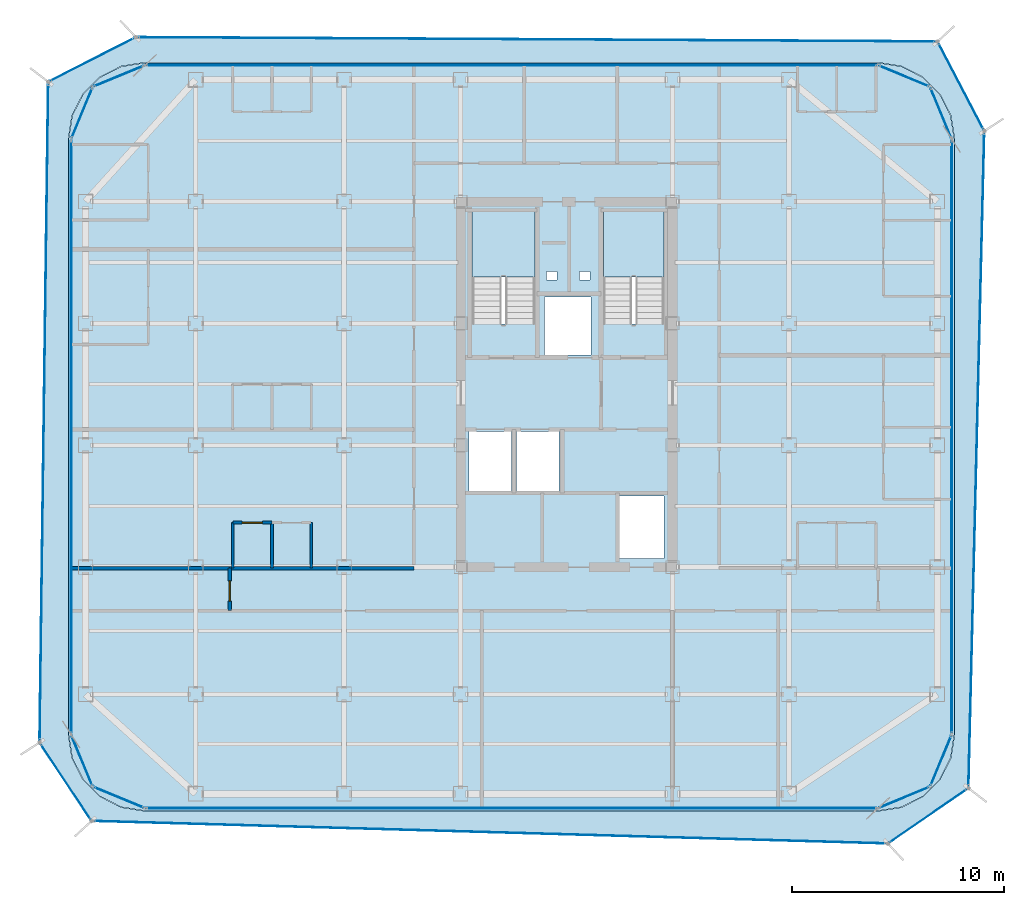
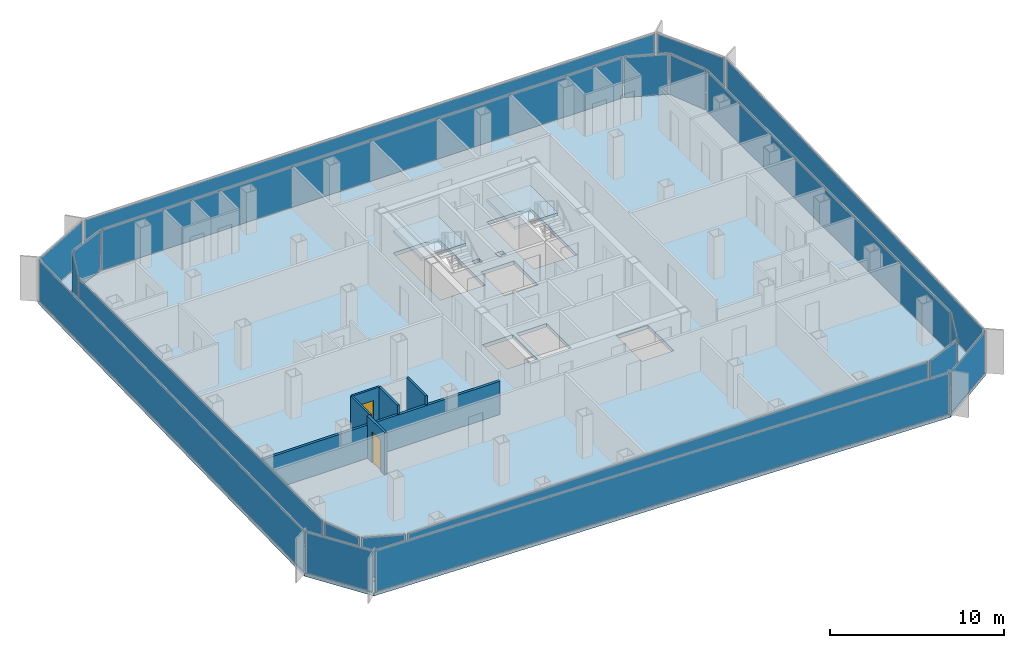
# One storey, part 9 of 15: 20 plates, 7 walls, 4 slabs, 2 doors, 2 openings, 22 elements without a shape of their own.
"""IFC4 building model written with IfcOpenShell, lengths in metres."""

from ifc_helpers import new_model, si_unit, direction, frame, frame_2d, origin, origin_2d, place, context, subcontext, project, spatial, polyline, rectangle, outline, extrude, source, transform, mapped, material, layer, layer_set, type_object, element, fill, aggregate, save


model = new_model("IFC4")

# Units and contexts
model_context = context("Model", 3, precision=1e-05, world=origin(), true_north=direction((0.0, 1.0)))
body_context = subcontext(model_context, "Body", "Model", "MODEL_VIEW")
ifc_project = project(units=[si_unit("LENGTHUNIT", "METRE"), si_unit("AREAUNIT", "SQUARE_METRE"), si_unit("VOLUMEUNIT", "CUBIC_METRE"), si_unit("PLANEANGLEUNIT", "RADIAN"), si_unit("MASSUNIT", "GRAM", prefix="KILO")], contexts=[model_context])

# Site, building, storey
site_placement = place(None, origin())
site = spatial("IfcSite", under=ifc_project, at=site_placement, CompositionType="ELEMENT")
building_placement = place(site_placement, origin())
building = spatial("IfcBuilding", under=site, at=building_placement, Name="Kolveth Station Tower", CompositionType="ELEMENT")
storey_placement = place(building_placement, frame((0.0, 0.0, 168.89990234375)))
storey = spatial("IfcBuildingStorey", under=building, at=storey_placement, Name="L47", CompositionType="ELEMENT", Elevation=168.89990234375)

# Slab
ifc_material_1 = material(Name="Concrete C40/50", Category="concrete")
ifc_layer_1 = layer(ifc_material_1, 0.25)
ifc_layer_set_1 = layer_set([ifc_layer_1], Name="Concrete C40/50")
slab_type_1 = type_object("IfcSlabType", Name="Slab_SF-250", PredefinedType="FLOOR", material=ifc_layer_set_1)
slab_1_placement = place(storey_placement, frame((0.0, 0.0, -0.25)))
element("IfcSlab", 1, at=slab_1_placement, inside=storey, type_object=slab_type_1, Name="L47 Tower Structural Floor Slab", PredefinedType="FLOOR", context=body_context, shape_type="SweptSolid", body=[
    extrude(outline(polyline([(38.199951171875, 0.0), (39.3125, 0.17626953125), (40.31591796875, 0.6875), (41.112548828125, 1.48388671875), (41.623779296875, 2.487548828125), (41.800048828125, 3.60009765625), (41.800048828125, 31.699951171875), (41.623779296875, 32.8125), (41.112548828125, 33.81591796875), (40.31591796875, 34.612548828125), (39.3125, 35.123779296875), (38.199951171875, 35.300048828125), (3.60009765625, 35.300048828125), (2.487548828125, 35.123779296875), (1.48388671875, 34.612548828125), (0.6875, 33.81591796875), (0.17626953125, 32.8125), (0.0, 31.699951171875), (0.0, 3.60009765625), (0.17626953125, 2.487548828125), (0.6875, 1.48388671875), (1.48388671875, 0.6875), (2.487548828125, 0.17626953125), (3.60009765625, 0.0), (38.199951171875, 0.0)]), holes=[polyline([(19.0400390625, 22.985107421875), (22.0, 22.985107421875), (22.0, 28.39990234375), (19.0400390625, 28.39990234375), (19.0400390625, 22.985107421875)]), polyline([(25.239990234375, 22.985107421875), (28.10009765625, 22.985107421875), (28.10009765625, 28.39990234375), (25.239990234375, 28.39990234375), (25.239990234375, 22.985107421875)]), polyline([(18.89990234375, 15.10009765625), (20.89990234375, 15.10009765625), (20.89990234375, 17.89990234375), (18.89990234375, 17.89990234375), (18.89990234375, 15.10009765625)]), polyline([(21.14990234375, 15.10009765625), (23.14990234375, 15.10009765625), (23.14990234375, 17.89990234375), (21.14990234375, 17.89990234375), (21.14990234375, 15.10009765625)]), polyline([(22.449951171875, 21.5), (24.64990234375, 21.5), (24.64990234375, 24.25), (22.449951171875, 24.25), (22.449951171875, 21.5)]), polyline([(26.0, 11.89990234375), (28.10009765625, 11.89990234375), (28.10009765625, 14.85009765625), (26.0, 14.85009765625), (26.0, 11.89990234375)]), polyline([(22.550048828125, 25.050048828125), (23.050048828125, 25.050048828125), (23.050048828125, 25.449951171875), (22.550048828125, 25.449951171875), (22.550048828125, 25.050048828125)]), polyline([(24.10009765625, 25.050048828125), (24.60009765625, 25.050048828125), (24.60009765625, 25.449951171875), (24.10009765625, 25.449951171875), (24.10009765625, 25.050048828125)])]), origin(), (0.0, 0.0, 1.0), 0.25),
])

# Stair, slab
stair_type_1 = type_object("IfcStairType", Name="Stair_ST2", PredefinedType="HALF_TURN_STAIR", material=ifc_material_1)
stair_1_placement = place(storey_placement, origin())
stair_1 = element("IfcStair", 2, at=stair_1_placement, inside=storey, type_object=stair_type_1, Name="L47 Tower Exit Stair ST2", PredefinedType="HALF_TURN_STAIR")
ifc_layer_2 = layer(ifc_material_1, 0.18994140625)
ifc_layer_set_2 = layer_set([ifc_layer_2], Name="Concrete C40/50")
slab_type_2 = type_object("IfcSlabType", Name="Slab_SL-190", PredefinedType="LANDING", material=ifc_layer_set_2)
slab_2_placement = place(storey_placement, frame((0.0, 0.0, 1.400146484375)))
slab_2 = element("IfcSlab", 3, at=slab_2_placement, type_object=slab_type_2, Name="ST2 landing 1", PredefinedType="LANDING", context=body_context, shape_type="SweptSolid", body=[
    extrude(outline(polyline([(28.10009765625, 25.18994140625), (28.10009765625, 28.39990234375), (25.239990234375, 28.39990234375), (25.239990234375, 25.18994140625), (28.10009765625, 25.18994140625)])), origin(), (0.0, 0.0, 1.0), 0.199951171875),
])
aggregate(stair_1, [slab_2])

stair_type_2 = type_object("IfcStairType", Name="Stair_ST1", PredefinedType="HALF_TURN_STAIR", material=ifc_material_1)
stair_2_placement = place(storey_placement, origin())
stair_2 = element("IfcStair", 4, at=stair_2_placement, inside=storey, type_object=stair_type_2, Name="L47 Tower Exit Stair ST1", PredefinedType="HALF_TURN_STAIR")
ifc_layer_3 = layer(ifc_material_1, 0.205078125)
ifc_layer_set_3 = layer_set([ifc_layer_3], Name="Concrete C40/50")
slab_type_3 = type_object("IfcSlabType", Name="Slab_SL-205", PredefinedType="LANDING", material=ifc_layer_set_3)
slab_3_placement = place(storey_placement, frame((0.0, 0.0, 1.400146484375)))
slab_3 = element("IfcSlab", 5, at=slab_3_placement, type_object=slab_type_3, Name="ST1 landing 1", PredefinedType="LANDING", context=body_context, shape_type="SweptSolid", body=[
    extrude(outline(polyline([(22.0, 25.18994140625), (22.0, 28.39990234375), (19.0400390625, 28.39990234375), (19.0400390625, 25.18994140625), (22.0, 25.18994140625)])), origin(), (0.0, 0.0, 1.0), 0.199951171875),
])
aggregate(stair_2, [slab_3])

# Slab
ifc_layer_4 = layer(ifc_material_1, 0.2099609375)
ifc_layer_set_4 = layer_set([ifc_layer_4], Name="Concrete C40/50")
slab_type_4 = type_object("IfcSlabType", Name="Slab_ST-210", PredefinedType="FLOOR", material=ifc_layer_set_4)
slab_4_placement = place(storey_placement, frame((0.0, 0.0, -0.2099609375)))
element("IfcSlab", 6, at=slab_4_placement, inside=storey, type_object=slab_type_4, Name="L47 Double-Skin Cavity Structural Ledger Ring", PredefinedType="FLOOR", context=body_context, shape_type="SweptSolid", body=[
    extrude(outline(polyline([(1.08740234375, -0.48095703125), (-1.365966796875, 3.22509765625), (-0.95849609375, 34.3994140625), (3.176025390625, 36.506591796875), (41.010986328125, 36.303466796875), (43.218505859375, 32.081298828125), (42.468994140625, 1.06689453125), (38.665771484375, -1.5458984375), (1.08740234375, -0.48095703125)]), holes=[polyline([(38.202392578125, -0.014892578125), (39.314697265625, 0.161376953125), (39.3193359375, 0.162841796875), (40.32275390625, 0.674072265625), (40.32666015625, 0.677001953125), (41.123046875, 1.473388671875), (41.1259765625, 1.477294921875), (41.63720703125, 2.480712890625), (41.638671875, 2.485107421875), (41.814697265625, 3.59765625), (41.81494140625, 3.60009765625), (41.81494140625, 31.699951171875), (41.814697265625, 31.702392578125), (41.638671875, 32.814697265625), (41.63720703125, 32.8193359375), (41.1259765625, 33.82275390625), (41.123046875, 33.82666015625), (40.32666015625, 34.623046875), (40.32275390625, 34.6259765625), (39.3193359375, 35.13720703125), (39.314697265625, 35.138671875), (38.202392578125, 35.314697265625), (38.199951171875, 35.31494140625), (3.60009765625, 35.31494140625), (3.59765625, 35.314697265625), (2.485107421875, 35.138671875), (2.480712890625, 35.13720703125), (1.477294921875, 34.6259765625), (1.473388671875, 34.623046875), (0.677001953125, 33.82666015625), (0.674072265625, 33.82275390625), (0.162841796875, 32.8193359375), (0.161376953125, 32.814697265625), (-0.014892578125, 31.702392578125), (-0.014892578125, 31.699951171875), (-0.014892578125, 3.60009765625), (-0.014892578125, 3.59765625), (0.161376953125, 2.485107421875), (0.162841796875, 2.480712890625), (0.674072265625, 1.477294921875), (0.677001953125, 1.473388671875), (1.473388671875, 0.677001953125), (1.477294921875, 0.674072265625), (2.480712890625, 0.162841796875), (2.485107421875, 0.161376953125), (3.59765625, -0.014892578125), (3.60009765625, -0.014892578125), (38.199951171875, -0.014892578125), (38.202392578125, -0.014892578125)])]), origin(), (0.0, 0.0, 1.0), 0.2099609375),
])

# Curtain wall, plate
ifc_material_2 = material(Name="Aluminium 6063-T6 and low-E dark glass", Category="aluminium")
ifc_layer_5 = layer(ifc_material_2, 0.18994140625)
ifc_layer_set_5 = layer_set([ifc_layer_5], Name="Aluminium 6063-T6 and low-E dark glass")
curtain_wall_type_1 = type_object("IfcCurtainWallType", Name="CurtainWall_CW-Z2", PredefinedType="NOTDEFINED", material=ifc_layer_set_5)
curtain_wall_1_placement = place(storey_placement, origin())
curtain_wall_1 = element("IfcCurtainWall", 7, at=curtain_wall_1_placement, inside=storey, type_object=curtain_wall_type_1, Name="L47 Inner Thermal Curtain Wall 1", PredefinedType="NOTDEFINED")
ifc_material_3 = material(Name="Architectural low-E dark glass", Category="glass")
ifc_layer_6 = layer(ifc_material_3, 0.0380859375)
ifc_layer_set_6 = layer_set([ifc_layer_6], Name="Architectural low-E dark glass")
plate_type_1 = type_object("IfcPlateType", Name="Panel_GL2", PredefinedType="CURTAIN_PANEL", material=ifc_layer_set_6)
shared_shape_1 = source(origin(), body_context, "Body", "SweptSolid", [
    extrude(rectangle(XDim=2.517578125, YDim=0.0380859375, at=origin_2d()), origin(), (0.0, 0.0, 1.0), 2.803955078125),
])
plate_1_placement = place(storey_placement, frame((39.430419921875, 0.629638671875, 0.0732421875), z_axis=(0.0, 0.0, 1.0), x_axis=(0.923873600544, 0.382697753087, 0.0)))
plate_1 = element("IfcPlate", 8, at=plate_1_placement, type_object=plate_type_1, Name="CW-Z2 panel 1.1", PredefinedType="CURTAIN_PANEL", context=body_context, shape_type="MappedRepresentation", body=[
    mapped(shared_shape_1, transform((0.0, 0.0, 0.0), x_axis=(1.0, 0.0, 0.0), y_axis=(0.0, 1.0, 0.0), z_axis=(0.0, 0.0, 1.0), scale=1.0)),
])
aggregate(curtain_wall_1, [plate_1])

curtain_wall_2_placement = place(storey_placement, origin())
curtain_wall_2 = element("IfcCurtainWall", 9, at=curtain_wall_2_placement, inside=storey, type_object=curtain_wall_type_1, Name="L47 Inner Thermal Curtain Wall 2", PredefinedType="NOTDEFINED")
plate_2_placement = place(storey_placement, frame((41.17041015625, 2.36962890625, 0.0732421875), z_axis=(0.0, 0.0, 1.0), x_axis=(0.382697753087, 0.923873600544, 0.0)))
plate_2 = element("IfcPlate", 10, at=plate_2_placement, type_object=plate_type_1, Name="CW-Z2 panel 1.1", PredefinedType="CURTAIN_PANEL", context=body_context, shape_type="MappedRepresentation", body=[
    mapped(shared_shape_1, transform((0.0, 0.0, 0.0), x_axis=(1.0, 0.0, 0.0), y_axis=(0.0, 1.0, 0.0), z_axis=(0.0, 0.0, 1.0), scale=1.0)),
])
aggregate(curtain_wall_2, [plate_2])

curtain_wall_3_placement = place(storey_placement, origin())
curtain_wall_3 = element("IfcCurtainWall", 11, at=curtain_wall_3_placement, inside=storey, type_object=curtain_wall_type_1, Name="L47 Inner Thermal Curtain Wall 4", PredefinedType="NOTDEFINED")
plate_3_placement = place(storey_placement, frame((41.17041015625, 32.930419921875, 0.0732421875), z_axis=(0.0, 0.0, 1.0), x_axis=(-0.382697753087, 0.923873600544, 0.0)))
plate_3 = element("IfcPlate", 12, at=plate_3_placement, type_object=plate_type_1, Name="CW-Z2 panel 1.1", PredefinedType="CURTAIN_PANEL", context=body_context, shape_type="MappedRepresentation", body=[
    mapped(shared_shape_1, transform((0.0, 0.0, 0.0), x_axis=(1.0, 0.0, 0.0), y_axis=(0.0, 1.0, 0.0), z_axis=(0.0, 0.0, 1.0), scale=1.0)),
])
aggregate(curtain_wall_3, [plate_3])

curtain_wall_4_placement = place(storey_placement, origin())
curtain_wall_4 = element("IfcCurtainWall", 13, at=curtain_wall_4_placement, inside=storey, type_object=curtain_wall_type_1, Name="L47 Inner Thermal Curtain Wall 5", PredefinedType="NOTDEFINED")
plate_4_placement = place(storey_placement, frame((39.430419921875, 34.67041015625, 0.0732421875), z_axis=(0.0, 0.0, 1.0), x_axis=(-0.923873600544, 0.382697753087, 0.0)))
plate_4 = element("IfcPlate", 14, at=plate_4_placement, type_object=plate_type_1, Name="CW-Z2 panel 1.1", PredefinedType="CURTAIN_PANEL", context=body_context, shape_type="MappedRepresentation", body=[
    mapped(shared_shape_1, transform((0.0, 0.0, 0.0), x_axis=(1.0, 0.0, 0.0), y_axis=(0.0, 1.0, 0.0), z_axis=(0.0, 0.0, 1.0), scale=1.0)),
])
aggregate(curtain_wall_4, [plate_4])

curtain_wall_5_placement = place(storey_placement, origin())
curtain_wall_5 = element("IfcCurtainWall", 15, at=curtain_wall_5_placement, inside=storey, type_object=curtain_wall_type_1, Name="L47 Inner Thermal Curtain Wall 7", PredefinedType="NOTDEFINED")
plate_5_placement = place(storey_placement, frame((2.36962890625, 34.67041015625, 0.0732421875), z_axis=(0.0, 0.0, 1.0), x_axis=(-0.923873600544, -0.382697753087, 0.0)))
plate_5 = element("IfcPlate", 16, at=plate_5_placement, type_object=plate_type_1, Name="CW-Z2 panel 1.1", PredefinedType="CURTAIN_PANEL", context=body_context, shape_type="MappedRepresentation", body=[
    mapped(shared_shape_1, transform((0.0, 0.0, 0.0), x_axis=(1.0, 0.0, 0.0), y_axis=(0.0, 1.0, 0.0), z_axis=(0.0, 0.0, 1.0), scale=1.0)),
])
aggregate(curtain_wall_5, [plate_5])

curtain_wall_6_placement = place(storey_placement, origin())
curtain_wall_6 = element("IfcCurtainWall", 17, at=curtain_wall_6_placement, inside=storey, type_object=curtain_wall_type_1, Name="L47 Inner Thermal Curtain Wall 8", PredefinedType="NOTDEFINED")
plate_6_placement = place(storey_placement, frame((0.629638671875, 32.930419921875, 0.0732421875), z_axis=(0.0, 0.0, 1.0), x_axis=(-0.382697753087, -0.923873600544, 0.0)))
plate_6 = element("IfcPlate", 18, at=plate_6_placement, type_object=plate_type_1, Name="CW-Z2 panel 1.1", PredefinedType="CURTAIN_PANEL", context=body_context, shape_type="MappedRepresentation", body=[
    mapped(shared_shape_1, transform((0.0, 0.0, 0.0), x_axis=(1.0, 0.0, 0.0), y_axis=(0.0, 1.0, 0.0), z_axis=(0.0, 0.0, 1.0), scale=1.0)),
])
aggregate(curtain_wall_6, [plate_6])

curtain_wall_7_placement = place(storey_placement, origin())
curtain_wall_7 = element("IfcCurtainWall", 19, at=curtain_wall_7_placement, inside=storey, type_object=curtain_wall_type_1, Name="L47 Inner Thermal Curtain Wall 10", PredefinedType="NOTDEFINED")
plate_7_placement = place(storey_placement, frame((0.629638671875, 2.36962890625, 0.0732421875), z_axis=(0.0, 0.0, 1.0), x_axis=(0.382697753087, -0.923873600544, 0.0)))
plate_7 = element("IfcPlate", 20, at=plate_7_placement, type_object=plate_type_1, Name="CW-Z2 panel 1.1", PredefinedType="CURTAIN_PANEL", context=body_context, shape_type="MappedRepresentation", body=[
    mapped(shared_shape_1, transform((0.0, 0.0, 0.0), x_axis=(1.0, 0.0, 0.0), y_axis=(0.0, 1.0, 0.0), z_axis=(0.0, 0.0, 1.0), scale=1.0)),
])
aggregate(curtain_wall_7, [plate_7])

curtain_wall_8_placement = place(storey_placement, origin())
curtain_wall_8 = element("IfcCurtainWall", 21, at=curtain_wall_8_placement, inside=storey, type_object=curtain_wall_type_1, Name="L47 Inner Thermal Curtain Wall 11", PredefinedType="NOTDEFINED")
plate_8_placement = place(storey_placement, frame((2.36962890625, 0.629638671875, 0.0732421875), z_axis=(0.0, 0.0, 1.0), x_axis=(0.923873600544, -0.382697753087, 0.0)))
plate_8 = element("IfcPlate", 22, at=plate_8_placement, type_object=plate_type_1, Name="CW-Z2 panel 1.1", PredefinedType="CURTAIN_PANEL", context=body_context, shape_type="MappedRepresentation", body=[
    mapped(shared_shape_1, transform((0.0, 0.0, 0.0), x_axis=(1.0, 0.0, 0.0), y_axis=(0.0, 1.0, 0.0), z_axis=(0.0, 0.0, 1.0), scale=1.0)),
])
aggregate(curtain_wall_8, [plate_8])

curtain_wall_9_placement = place(storey_placement, origin())
curtain_wall_9 = element("IfcCurtainWall", 23, at=curtain_wall_9_placement, inside=storey, type_object=curtain_wall_type_1, Name="L47 Inner Thermal Curtain Wall 3", PredefinedType="NOTDEFINED")
shared_shape_2 = source(origin(), body_context, "Body", "SweptSolid", [
    extrude(rectangle(XDim=27.9541015625, YDim=0.0380859375, at=origin_2d()), origin(), (0.0, 0.0, 1.0), 2.803955078125),
])
plate_9_placement = place(storey_placement, frame((41.679931640625, 17.64990234375, 0.0732421875), z_axis=(0.0, 0.0, 1.0), x_axis=(0.0, 1.0, 0.0)))
plate_9 = element("IfcPlate", 24, at=plate_9_placement, type_object=plate_type_1, Name="CW-Z2 panel 1.1", PredefinedType="CURTAIN_PANEL", context=body_context, shape_type="MappedRepresentation", body=[
    mapped(shared_shape_2, transform((0.0, 0.0, 0.0), x_axis=(1.0, 0.0, 0.0), y_axis=(0.0, 1.0, 0.0), z_axis=(0.0, 0.0, 1.0), scale=1.0)),
])
aggregate(curtain_wall_9, [plate_9])

curtain_wall_10_placement = place(storey_placement, origin())
curtain_wall_10 = element("IfcCurtainWall", 25, at=curtain_wall_10_placement, inside=storey, type_object=curtain_wall_type_1, Name="L47 Inner Thermal Curtain Wall 9", PredefinedType="NOTDEFINED")
plate_10_placement = place(storey_placement, frame((0.1201171875, 17.64990234375, 0.0732421875), z_axis=(0.0, 0.0, 1.0), x_axis=(0.0, -1.0, 0.0)))
plate_10 = element("IfcPlate", 26, at=plate_10_placement, type_object=plate_type_1, Name="CW-Z2 panel 1.1", PredefinedType="CURTAIN_PANEL", context=body_context, shape_type="MappedRepresentation", body=[
    mapped(shared_shape_2, transform((0.0, 0.0, 0.0), x_axis=(1.0, 0.0, 0.0), y_axis=(0.0, 1.0, 0.0), z_axis=(0.0, 0.0, 1.0), scale=1.0)),
])
aggregate(curtain_wall_10, [plate_10])

curtain_wall_11_placement = place(storey_placement, origin())
curtain_wall_11 = element("IfcCurtainWall", 27, at=curtain_wall_11_placement, inside=storey, type_object=curtain_wall_type_1, Name="L47 Inner Thermal Curtain Wall 6", PredefinedType="NOTDEFINED")
shared_shape_3 = source(origin(), body_context, "Body", "SweptSolid", [
    extrude(rectangle(XDim=34.4541015625, YDim=0.0380859375, at=origin_2d()), origin(), (0.0, 0.0, 1.0), 2.803955078125),
])
plate_11_placement = place(storey_placement, frame((20.89990234375, 35.179931640625, 0.0732421875), z_axis=(0.0, 0.0, 1.0), x_axis=(-1.0, 0.0, 0.0)))
plate_11 = element("IfcPlate", 28, at=plate_11_placement, type_object=plate_type_1, Name="CW-Z2 panel 1.1", PredefinedType="CURTAIN_PANEL", context=body_context, shape_type="MappedRepresentation", body=[
    mapped(shared_shape_3, transform((0.0, 0.0, 0.0), x_axis=(1.0, 0.0, 0.0), y_axis=(0.0, 1.0, 0.0), z_axis=(0.0, 0.0, 1.0), scale=1.0)),
])
aggregate(curtain_wall_11, [plate_11])

curtain_wall_12_placement = place(storey_placement, origin())
curtain_wall_12 = element("IfcCurtainWall", 29, at=curtain_wall_12_placement, inside=storey, type_object=curtain_wall_type_1, Name="L47 Inner Thermal Curtain Wall 12", PredefinedType="NOTDEFINED")
plate_12_placement = place(storey_placement, frame((20.89990234375, 0.1201171875, 0.0732421875), z_axis=(0.0, 0.0, 1.0), x_axis=(1.0, 0.0, 0.0)))
plate_12 = element("IfcPlate", 30, at=plate_12_placement, type_object=plate_type_1, Name="CW-Z2 panel 1.1", PredefinedType="CURTAIN_PANEL", context=body_context, shape_type="MappedRepresentation", body=[
    mapped(shared_shape_3, transform((0.0, 0.0, 0.0), x_axis=(1.0, 0.0, 0.0), y_axis=(0.0, 1.0, 0.0), z_axis=(0.0, 0.0, 1.0), scale=1.0)),
])
aggregate(curtain_wall_12, [plate_12])

ifc_material_4 = material(Name="Black anodized aluminium 6063-T6 and dark solar glass", Category="aluminium")
ifc_layer_7 = layer(ifc_material_4, 0.159912109375)
ifc_layer_set_7 = layer_set([ifc_layer_7], Name="Black anodized aluminium 6063-T6 and dark solar glass")
curtain_wall_type_2 = type_object("IfcCurtainWallType", Name="OUTER SKIN CW-OS", PredefinedType="NOTDEFINED", material=ifc_layer_set_7)
curtain_wall_13_placement = place(storey_placement, origin())
curtain_wall_13 = element("IfcCurtainWall", 31, at=curtain_wall_13_placement, inside=storey, type_object=curtain_wall_type_2, Name="L47 Outer Ventilated Skin Curtain Wall 1", PredefinedType="NOTDEFINED")
ifc_layer_8 = layer(ifc_material_3, 0.028076171875)
ifc_layer_set_8 = layer_set([ifc_layer_8], Name="Architectural low-E dark glass")
plate_type_2 = type_object("IfcPlateType", Name="Panel_GL-OS", PredefinedType="CURTAIN_PANEL", material=ifc_layer_set_8)
shared_shape_4 = source(origin(), body_context, "Body", "SweptSolid", [
    extrude(rectangle(XDim=4.4482421875, YDim=0.028076171875, at=origin_2d()), origin(), (0.0, 0.0, 1.0), 2.843994140625),
])
plate_13_placement = place(storey_placement, frame((40.5673828125, -0.239501953125, 0.0732421875), z_axis=(0.0, 0.0, 1.0), x_axis=(0.824234109051, 0.56624917967, 0.0)))
plate_13 = element("IfcPlate", 32, at=plate_13_placement, type_object=plate_type_2, Name="CW-OS panel 1.1", PredefinedType="CURTAIN_PANEL", context=body_context, shape_type="MappedRepresentation", body=[
    mapped(shared_shape_4, transform((0.0, 0.0, 0.0), x_axis=(1.0, 0.0, 0.0), y_axis=(0.0, 1.0, 0.0), z_axis=(0.0, 0.0, 1.0), scale=1.0)),
])
aggregate(curtain_wall_13, [plate_13])

curtain_wall_14_placement = place(storey_placement, origin())
curtain_wall_14 = element("IfcCurtainWall", 33, at=curtain_wall_14_placement, inside=storey, type_object=curtain_wall_type_2, Name="L47 Outer Ventilated Skin Curtain Wall 2", PredefinedType="NOTDEFINED")
shared_shape_5 = source(origin(), body_context, "Body", "SweptSolid", [
    extrude(rectangle(XDim=30.857421875, YDim=0.028076171875, at=origin_2d()), origin(), (0.0, 0.0, 1.0), 2.843994140625),
])
plate_14_placement = place(storey_placement, frame((42.84375, 16.57421875, 0.0732421875), z_axis=(0.0, 0.0, 1.0), x_axis=(0.024162439612, 0.999708045637, 0.0)))
plate_14 = element("IfcPlate", 34, at=plate_14_placement, type_object=plate_type_2, Name="CW-OS panel 1.1", PredefinedType="CURTAIN_PANEL", context=body_context, shape_type="MappedRepresentation", body=[
    mapped(shared_shape_5, transform((0.0, 0.0, 0.0), x_axis=(1.0, 0.0, 0.0), y_axis=(0.0, 1.0, 0.0), z_axis=(0.0, 0.0, 1.0), scale=1.0)),
])
aggregate(curtain_wall_14, [plate_14])

curtain_wall_15_placement = place(storey_placement, origin())
curtain_wall_15 = element("IfcCurtainWall", 35, at=curtain_wall_15_placement, inside=storey, type_object=curtain_wall_type_2, Name="L47 Outer Ventilated Skin Curtain Wall 3", PredefinedType="NOTDEFINED")
shared_shape_6 = source(origin(), body_context, "Body", "SweptSolid", [
    extrude(rectangle(XDim=4.598388671875, YDim=0.028076171875, at=origin_2d()), origin(), (0.0, 0.0, 1.0), 2.843994140625),
])
plate_15_placement = place(storey_placement, frame((42.11474609375, 34.1923828125, 0.0732421875), z_axis=(0.0, 0.0, 1.0), x_axis=(-0.46331040604, 0.886196066147, 0.0)))
plate_15 = element("IfcPlate", 36, at=plate_15_placement, type_object=plate_type_2, Name="CW-OS panel 1.1", PredefinedType="CURTAIN_PANEL", context=body_context, shape_type="MappedRepresentation", body=[
    mapped(shared_shape_6, transform((0.0, 0.0, 0.0), x_axis=(1.0, 0.0, 0.0), y_axis=(0.0, 1.0, 0.0), z_axis=(0.0, 0.0, 1.0), scale=1.0)),
])
aggregate(curtain_wall_15, [plate_15])

curtain_wall_16_placement = place(storey_placement, origin())
curtain_wall_16 = element("IfcCurtainWall", 37, at=curtain_wall_16_placement, inside=storey, type_object=curtain_wall_type_2, Name="L47 Outer Ventilated Skin Curtain Wall 4", PredefinedType="NOTDEFINED")
shared_shape_7 = source(origin(), body_context, "Body", "SweptSolid", [
    extrude(rectangle(XDim=37.66943359375, YDim=0.028076171875, at=origin_2d()), origin(), (0.0, 0.0, 1.0), 2.843994140625),
])
plate_16_placement = place(storey_placement, frame((22.093505859375, 36.405029296875, 0.0732421875), z_axis=(0.0, 0.0, 1.0), x_axis=(-0.999985592355, 0.005367968121, 0.0)))
plate_16 = element("IfcPlate", 38, at=plate_16_placement, type_object=plate_type_2, Name="CW-OS panel 1.1", PredefinedType="CURTAIN_PANEL", context=body_context, shape_type="MappedRepresentation", body=[
    mapped(shared_shape_7, transform((0.0, 0.0, 0.0), x_axis=(1.0, 0.0, 0.0), y_axis=(0.0, 1.0, 0.0), z_axis=(0.0, 0.0, 1.0), scale=1.0)),
])
aggregate(curtain_wall_16, [plate_16])

curtain_wall_17_placement = place(storey_placement, origin())
curtain_wall_17 = element("IfcCurtainWall", 39, at=curtain_wall_17_placement, inside=storey, type_object=curtain_wall_type_2, Name="L47 Outer Ventilated Skin Curtain Wall 5", PredefinedType="NOTDEFINED")
shared_shape_8 = source(origin(), body_context, "Body", "SweptSolid", [
    extrude(rectangle(XDim=4.474609375, YDim=0.028076171875, at=origin_2d()), origin(), (0.0, 0.0, 1.0), 2.843994140625),
])
plate_17_placement = place(storey_placement, frame((1.10888671875, 35.452880859375, 0.0732421875), z_axis=(0.0, 0.0, 1.0), x_axis=(-0.890948373276, -0.454104609267, 0.0)))
plate_17 = element("IfcPlate", 40, at=plate_17_placement, type_object=plate_type_2, Name="CW-OS panel 1.1", PredefinedType="CURTAIN_PANEL", context=body_context, shape_type="MappedRepresentation", body=[
    mapped(shared_shape_8, transform((0.0, 0.0, 0.0), x_axis=(1.0, 0.0, 0.0), y_axis=(0.0, 1.0, 0.0), z_axis=(0.0, 0.0, 1.0), scale=1.0)),
])
aggregate(curtain_wall_17, [plate_17])

curtain_wall_18_placement = place(storey_placement, origin())
curtain_wall_18 = element("IfcCurtainWall", 41, at=curtain_wall_18_placement, inside=storey, type_object=curtain_wall_type_2, Name="L47 Outer Ventilated Skin Curtain Wall 6", PredefinedType="NOTDEFINED")
shared_shape_9 = source(origin(), body_context, "Body", "SweptSolid", [
    extrude(rectangle(XDim=31.0107421875, YDim=0.028076171875, at=origin_2d()), origin(), (0.0, 0.0, 1.0), 2.843994140625),
])
plate_18_placement = place(storey_placement, frame((-1.162109375, 18.812255859375, 0.0732421875), z_axis=(0.0, 0.0, 1.0), x_axis=(-0.013073838988, -0.999914533715, 0.0)))
plate_18 = element("IfcPlate", 42, at=plate_18_placement, type_object=plate_type_2, Name="CW-OS panel 1.1", PredefinedType="CURTAIN_PANEL", context=body_context, shape_type="MappedRepresentation", body=[
    mapped(shared_shape_9, transform((0.0, 0.0, 0.0), x_axis=(1.0, 0.0, 0.0), y_axis=(0.0, 1.0, 0.0), z_axis=(0.0, 0.0, 1.0), scale=1.0)),
])
aggregate(curtain_wall_18, [plate_18])

curtain_wall_19_placement = place(storey_placement, origin())
curtain_wall_19 = element("IfcCurtainWall", 43, at=curtain_wall_19_placement, inside=storey, type_object=curtain_wall_type_2, Name="L47 Outer Ventilated Skin Curtain Wall 7", PredefinedType="NOTDEFINED")
shared_shape_10 = source(origin(), body_context, "Body", "SweptSolid", [
    extrude(rectangle(XDim=4.278564453125, YDim=0.028076171875, at=origin_2d()), origin(), (0.0, 0.0, 1.0), 2.843994140625),
])
plate_19_placement = place(storey_placement, frame((-0.139404296875, 1.3720703125, 0.0732421875), z_axis=(0.0, 0.0, 1.0), x_axis=(0.551981718161, -0.833856212315, 0.0)))
plate_19 = element("IfcPlate", 44, at=plate_19_placement, type_object=plate_type_2, Name="CW-OS panel 1.1", PredefinedType="CURTAIN_PANEL", context=body_context, shape_type="MappedRepresentation", body=[
    mapped(shared_shape_10, transform((0.0, 0.0, 0.0), x_axis=(1.0, 0.0, 0.0), y_axis=(0.0, 1.0, 0.0), z_axis=(0.0, 0.0, 1.0), scale=1.0)),
])
aggregate(curtain_wall_19, [plate_19])

curtain_wall_20_placement = place(storey_placement, origin())
curtain_wall_20 = element("IfcCurtainWall", 45, at=curtain_wall_20_placement, inside=storey, type_object=curtain_wall_type_2, Name="L47 Outer Ventilated Skin Curtain Wall 8", PredefinedType="NOTDEFINED")
shared_shape_11 = source(origin(), body_context, "Body", "SweptSolid", [
    extrude(rectangle(XDim=37.427490234375, YDim=0.028076171875, at=origin_2d()), origin(), (0.0, 0.0, 1.0), 2.843994140625),
])
plate_20_placement = place(storey_placement, frame((19.87646484375, -1.013427734375, 0.0732421875), z_axis=(0.0, 0.0, 1.0), x_axis=(0.999598718059, -0.028326716282, 0.0)))
plate_20 = element("IfcPlate", 46, at=plate_20_placement, type_object=plate_type_2, Name="CW-OS panel 1.1", PredefinedType="CURTAIN_PANEL", context=body_context, shape_type="MappedRepresentation", body=[
    mapped(shared_shape_11, transform((0.0, 0.0, 0.0), x_axis=(1.0, 0.0, 0.0), y_axis=(0.0, 1.0, 0.0), z_axis=(0.0, 0.0, 1.0), scale=1.0)),
])
aggregate(curtain_wall_20, [plate_20])

# Wall, opening, door
ifc_material_5 = material(Name="Moisture-resistant gypsum partition")
ifc_layer_9 = layer(ifc_material_5, 0.135009765625)
ifc_layer_set_9 = layer_set([ifc_layer_9], Name="Moisture-resistant gypsum partition")
wall_type_1 = type_object("IfcWallType", Name="Wall_IW-135", PredefinedType="PARTITIONING", material=ifc_layer_set_9)
wall_1_placement = place(storey_placement, frame((7.75, 13.60009765625, 0.0), z_axis=(0.0, 0.0, 1.0), x_axis=(1.0, 0.0, 0.0)))
wall_1 = element("IfcWall", 47, at=wall_1_placement, inside=storey, type_object=wall_type_1, Name="L47 Partition Wall WL-L47-W1-IBHK", PredefinedType="PARTITIONING", context=body_context, shape_type="SweptSolid", body=[
    extrude(rectangle(XDim=1.85009765625, YDim=0.135009765625, at=frame_2d((0.925048828125, 0.0))), origin(), (0.0, 0.0, 1.0), 2.9501953125),
])
opening_1_placement = place(wall_1_placement, frame((0.445068359375, 0.0, 0.0)))
opening_1 = element("IfcOpeningElement", 48, at=opening_1_placement, cuts=wall_1, Name="Opening ID1", PredefinedType="OPENING", context=body_context, shape_type="SweptSolid", body=[
    extrude(rectangle(XDim=0.949951171875, YDim=2.14990234375, at=frame_2d((0.47509765625, 1.074951171875))), frame((0.0, 0.077392578125, 0.0), z_axis=(0.0, -1.0, 0.0), x_axis=(1.0, 0.0, 0.0)), (0.0, 0.0, 1.0), 0.155029296875),
])
ifc_material_6 = material(Name="Acoustic hardwood leaf and aluminium frame", Category="wood")
door_type = type_object("IfcDoorType", Name="Door_ID1", OperationType="NOTDEFINED", PredefinedType="DOOR", material=ifc_material_6)
door_1_placement = place(opening_1_placement, origin())
door_1 = element("IfcDoor", 49, at=door_1_placement, inside=storey, type_object=door_type, Name="Penthouse Flat L47-W1 Kitchen Door", OperationType="SINGLE_SWING_LEFT", OverallHeight=2.14990234375, OverallWidth=0.949951171875, PredefinedType="DOOR", context=body_context, shape_type="SweptSolid", body=[
    extrude(rectangle(XDim=0.949951171875, YDim=2.14990234375, at=frame_2d((0.47509765625, 1.074951171875))), frame((0.0, 0.02490234375, 0.0), z_axis=(0.0, -1.0, 0.0), x_axis=(1.0, 0.0, 0.0)), (0.0, 0.0, 1.0), 0.050048828125),
])
fill(opening_1, door_1)

# Walls
for number, where, z_axis, x_axis, name in (
    (50, (7.75, 11.449951171875, 0.0), (0.0, 0.0, 1.0), (0.0, 1.0, 0.0), "L47 Partition Wall WL-L47-W1-IBV0"),
    (51, (9.60009765625, 11.449951171875, 0.0), (0.0, 0.0, 1.0), (0.0, 1.0, 0.0), "L47 Partition Wall WL-L47-W1-IBV1"),
    (52, (11.449951171875, 11.449951171875, 0.0), (0.0, 0.0, 1.0), (0.0, 1.0, 0.0), "L47 Partition Wall WL-L47-W1-IBV2"),
):
    element("IfcWall", number, at=place(storey_placement, frame(where, z_axis=z_axis, x_axis=x_axis)), inside=storey, type_object=wall_type_1, Name=name, PredefinedType="PARTITIONING", context=body_context, shape_type="SweptSolid", body=[
        extrude(rectangle(XDim=2.150146484375, YDim=0.135009765625, at=frame_2d((1.0751953125, 0.0))), origin(), (0.0, 0.0, 1.0), 2.9501953125),
    ])
ifc_material_7 = material(Name="Acoustic double-stud gypsum partition")
ifc_layer_10 = layer(ifc_material_7, 0.1650390625)
ifc_layer_set_10 = layer_set([ifc_layer_10], Name="Acoustic double-stud gypsum partition")
wall_type_2 = type_object("IfcWallType", Name="Wall_IW-165", PredefinedType="PARTITIONING", material=ifc_layer_set_10)
wall_2_placement = place(storey_placement, frame((7.60009765625, 11.449951171875, 0.0), z_axis=(0.0, 0.0, 1.0), x_axis=(1.0, 0.0, 0.0)))
element("IfcWall", 53, at=wall_2_placement, inside=storey, type_object=wall_type_2, Name="L47 Partition Wall WL-L47-RSWT", PredefinedType="PARTITIONING", context=body_context, shape_type="SweptSolid", body=[
    extrude(rectangle(XDim=8.699951171875, YDim=0.1650390625, at=frame_2d((4.35009765625, 0.0))), origin(), (0.0, 0.0, 1.0), 2.322998046875),
])

# Wall, opening, door
wall_3_placement = place(storey_placement, frame((7.60009765625, 9.449951171875, 0.0), z_axis=(0.0, 0.0, 1.0), x_axis=(0.0, 1.0, 0.0)))
wall_3 = element("IfcWall", 54, at=wall_3_placement, inside=storey, type_object=wall_type_2, Name="L47 Partition Wall WL-L47-RSWE", PredefinedType="PARTITIONING", context=body_context, shape_type="SweptSolid", body=[
    extrude(rectangle(XDim=2.0, YDim=0.1650390625, at=frame_2d((1.0, 0.0))), origin(), (0.0, 0.0, 1.0), 2.9501953125),
])
opening_2_placement = place(wall_3_placement, frame((0.449951171875, 0.0, 0.0)))
opening_2 = element("IfcOpeningElement", 55, at=opening_2_placement, cuts=wall_3, Name="Opening ID1", PredefinedType="OPENING", context=body_context, shape_type="SweptSolid", body=[
    extrude(rectangle(XDim=0.949951171875, YDim=2.14990234375, at=frame_2d((0.47509765625, 1.074951171875))), frame((0.0, 0.092529296875, 0.0), z_axis=(0.0, -1.0, 0.0), x_axis=(1.0, 0.0, 0.0)), (0.0, 0.0, 1.0), 0.18505859375),
])
door_2_placement = place(opening_2_placement, frame((0.949951171875, 0.0, 0.0), z_axis=(0.0, 0.0, 1.0), x_axis=(-1.0, 0.0, 0.0)))
door_2 = element("IfcDoor", 56, at=door_2_placement, inside=storey, type_object=door_type, Name="L47 West Store Door", OperationType="SINGLE_SWING_LEFT", OverallHeight=2.14990234375, OverallWidth=0.949951171875, PredefinedType="DOOR", context=body_context, shape_type="SweptSolid", body=[
    extrude(rectangle(XDim=0.949951171875, YDim=2.14990234375, at=frame_2d((0.47509765625, 1.074951171875))), frame((0.0, 0.02490234375, 0.0), z_axis=(0.0, -1.0, 0.0), x_axis=(1.0, 0.0, 0.0)), (0.0, 0.0, 1.0), 0.050048828125),
])
fill(opening_2, door_2)

# Wall
wall_4_placement = place(storey_placement, frame((0.159912109375, 11.449951171875, 0.0), z_axis=(0.0, 0.0, 1.0), x_axis=(1.0, 0.0, 0.0)))
element("IfcWall", 57, at=wall_4_placement, inside=storey, type_object=wall_type_2, Name="L47 Partition Wall WL-L47-WSTN", PredefinedType="PARTITIONING", context=body_context, shape_type="SweptSolid", body=[
    extrude(rectangle(XDim=7.440185546875, YDim=0.1650390625, at=frame_2d((3.72021484375, 0.0))), origin(), (0.0, 0.0, 1.0), 2.322998046875),
])

save(model, "model.ifc")
